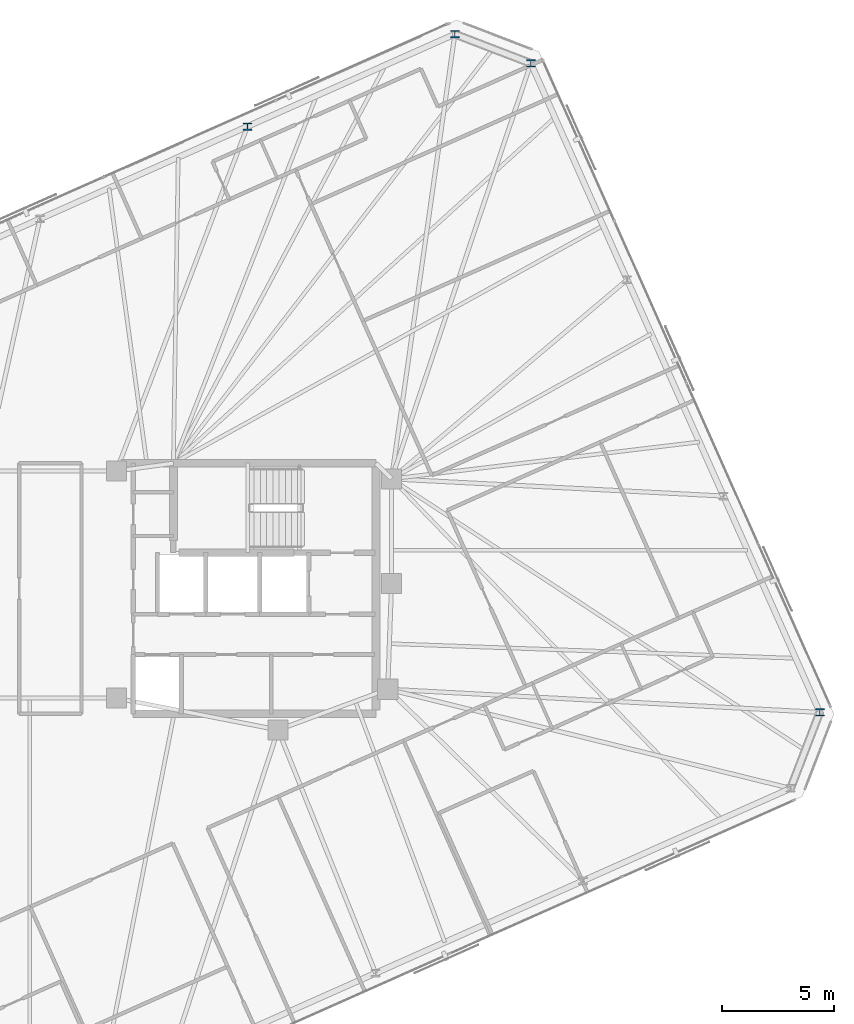
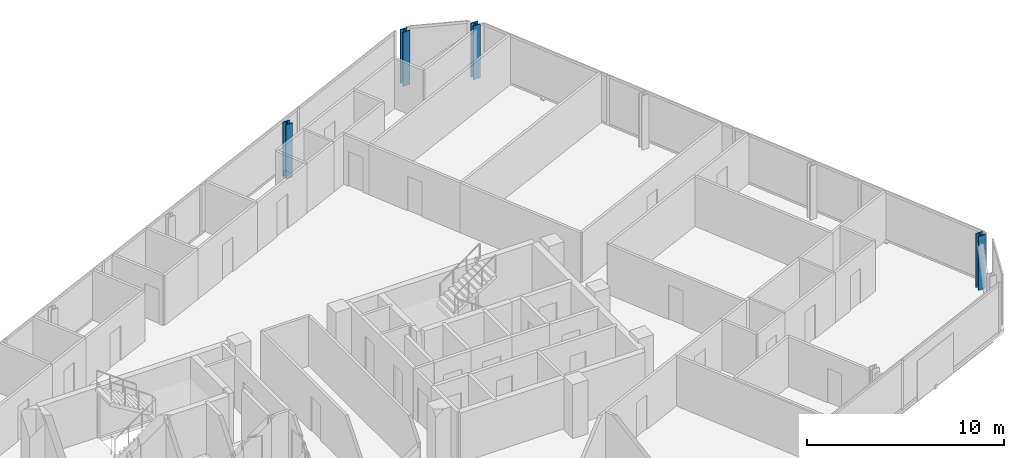
# One storey, part 4 of 18: 4 columns.
"""IFC4 building model written with IfcOpenShell, lengths in metres."""

from ifc_helpers import new_model, si_unit, direction, frame, origin, origin_2d, place, context, subcontext, project, spatial, i_section, extrude, material, material_profile, profile_set, type_object, element, save


model = new_model("IFC4")

# Units and contexts
model_context = context("Model", 3, precision=1e-05, world=origin(), true_north=direction((0.0, 1.0)))
body_context = subcontext(model_context, "Body", "Model", "MODEL_VIEW")
ifc_project = project(units=[si_unit("LENGTHUNIT", "METRE"), si_unit("AREAUNIT", "SQUARE_METRE"), si_unit("VOLUMEUNIT", "CUBIC_METRE"), si_unit("PLANEANGLEUNIT", "RADIAN"), si_unit("MASSUNIT", "GRAM", prefix="KILO")], contexts=[model_context])

# Site, building, storey
site_placement = place(None, origin())
site = spatial("IfcSite", under=ifc_project, at=site_placement, CompositionType="ELEMENT")
building_placement = place(site_placement, origin())
building = spatial("IfcBuilding", under=site, at=building_placement, Name="Menara Jurai Vektor", CompositionType="ELEMENT")
storey_placement = place(building_placement, frame((0.0, 0.0, 272.25)))
storey = spatial("IfcBuildingStorey", under=building, at=storey_placement, Name="L73", CompositionType="ELEMENT", Elevation=272.25)

# Columns
ifc_material = material(Name="Steel S460", Category="steel")
ifc_material_profile = material_profile(ifc_material, i_section(OverallWidth=0.40087890625, OverallDepth=0.3349609375, WebThickness=0.035888671875, FlangeThickness=0.05810546875, FilletRadius=0.014892578125, at=origin_2d()), Name="HD 400x463")
ifc_profile_set = profile_set([ifc_material_profile], Name="Steel S460")
column_type = type_object("IfcColumnType", Name="STR-EXO-BLK5", PredefinedType="COLUMN", material=ifc_profile_set)
for number, where, z_axis, x_axis, name in (
    (1, (34.3916015625, -5.536865234375, 0.0), (0.0, 0.0, 1.0), (1.0, 0.0, 0.0), "Exoskeleton Column BLK5-E1 L73"),
    (2, (21.4755859375, 23.473388671875, 0.0), (0.0, 0.0, 1.0), (1.0, 0.0, 0.0), "Exoskeleton Column BLK5-E4 L73"),
    (3, (18.07958984375, 24.777099609375, 0.0), (0.0, 0.0, 1.0), (1.0, 0.0, 0.0), "Exoskeleton Column BLK5-N1 L73"),
    (4, (8.805908203125, 20.648193359375, 0.0), (0.0, 0.0, 1.0), (1.0, 0.0, 0.0), "Exoskeleton Column BLK5-N2 L73"),
):
    element("IfcColumn", number, at=place(storey_placement, frame(where, z_axis=z_axis, x_axis=x_axis)), inside=storey, type_object=column_type, Name=name, PredefinedType="COLUMN", context=body_context, shape_type="SweptSolid", body=[
        extrude(i_section(OverallWidth=0.40087890625, OverallDepth=0.3349609375, WebThickness=0.035888671875, FlangeThickness=0.05810546875, FilletRadius=0.014892578125, at=origin_2d()), origin(), (0.0, 0.0, 1.0), 3.35009765625),
    ])

save(model, "model.ifc")
